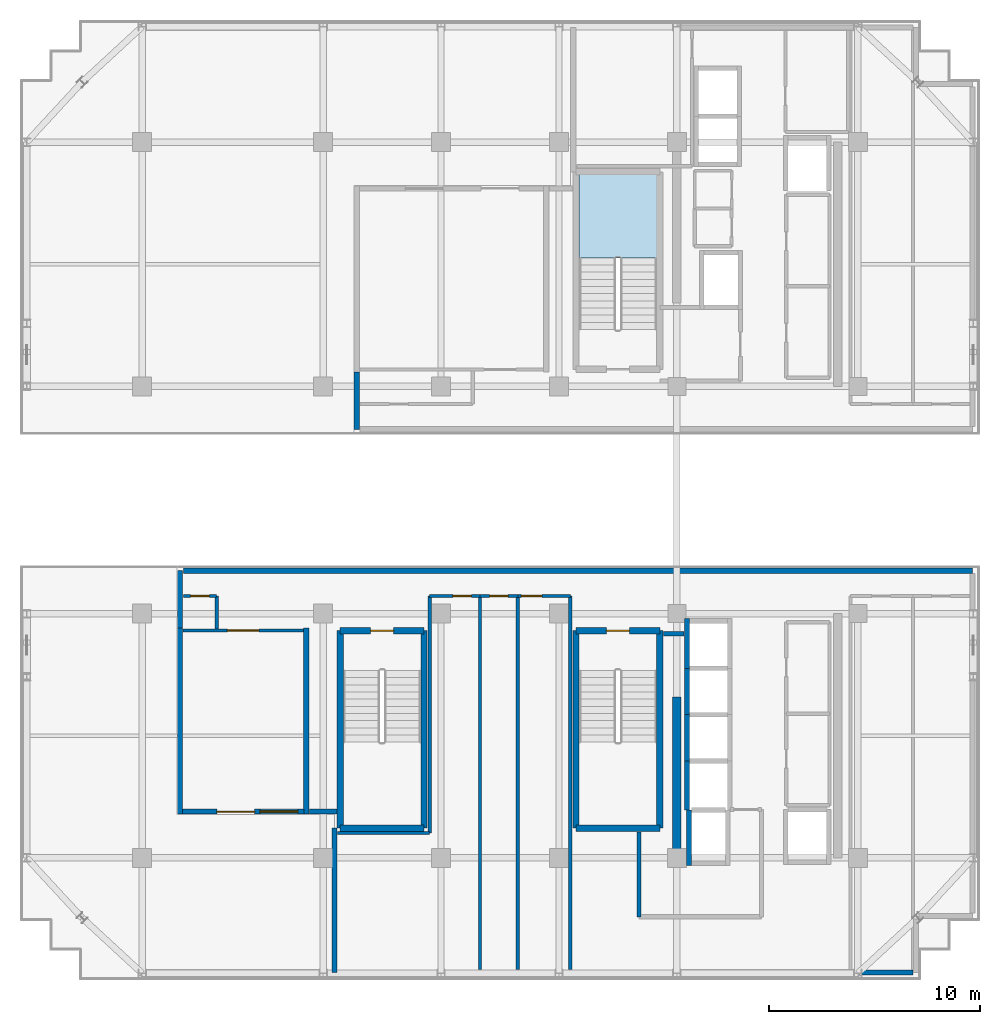
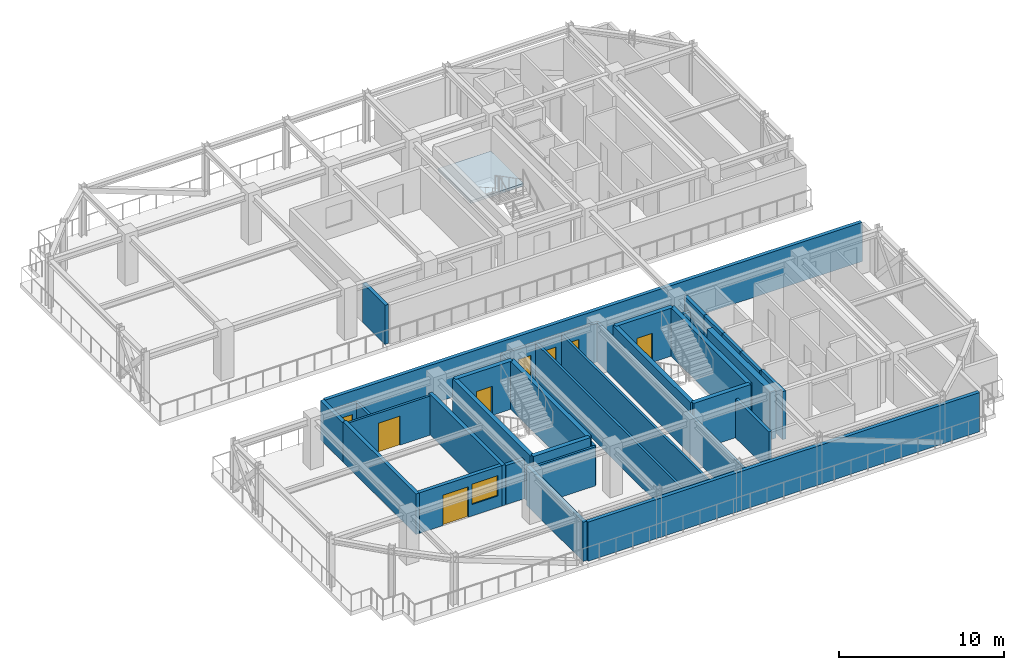
# One storey, part 5 of 14: 36 walls, 8 doors, 1 slab, 1 window, 9 openings, 1 element without a shape of its own.
"""IFC4 building model written with IfcOpenShell, lengths in metres."""

from ifc_helpers import new_model, si_unit, direction, frame, frame_2d, origin, place, context, subcontext, project, spatial, polyline, rectangle, outline, extrude, source, transform, mapped, material, layer, layer_set, type_object, element, fill, aggregate, save


model = new_model("IFC4")

# Units and contexts
model_context = context("Model", 3, precision=1e-05, world=origin(), true_north=direction((0.0, 1.0)))
body_context = subcontext(model_context, "Body", "Model", "MODEL_VIEW")
ifc_project = project(units=[si_unit("LENGTHUNIT", "METRE"), si_unit("AREAUNIT", "SQUARE_METRE"), si_unit("VOLUMEUNIT", "CUBIC_METRE"), si_unit("PLANEANGLEUNIT", "RADIAN"), si_unit("MASSUNIT", "GRAM", prefix="KILO")], contexts=[model_context])

# Site, building, storey
site_placement = place(None, origin())
site = spatial("IfcSite", under=ifc_project, at=site_placement, CompositionType="ELEMENT")
building_placement = place(site_placement, origin())
building = spatial("IfcBuilding", under=site, at=building_placement, Name="Nahalor Promenade Grand Hotel", CompositionType="ELEMENT")
storey_placement = place(building_placement, frame((0.0, 0.0, 300.35009765625)))
storey = spatial("IfcBuildingStorey", under=building, at=storey_placement, Name="L77", CompositionType="ELEMENT", Elevation=300.35009765625)

# Stair, slab
ifc_material_1 = material(Name="Concrete B-50 (C40/50)", Category="concrete")
stair_type = type_object("IfcStairType", Name="Stair-ST1", PredefinedType="HALF_TURN_STAIR", material=ifc_material_1)
stair_placement = place(storey_placement, origin())
stair = element("IfcStair", 1, at=stair_placement, inside=storey, type_object=stair_type, Name="L77 ST1", PredefinedType="HALF_TURN_STAIR")
ifc_layer_1 = layer(ifc_material_1, 0.199951171875)
ifc_layer_set_1 = layer_set([ifc_layer_1], Name="Concrete B-50 (C40/50)")
slab_type = type_object("IfcSlabType", Name="Landing-ST1", PredefinedType="LANDING", material=ifc_layer_set_1)
slab_placement = place(storey_placement, frame((0.0, 0.0, 1.724853515625)))
slab = element("IfcSlab", 2, at=slab_placement, type_object=slab_type, Name="ST1 landing 1", PredefinedType="LANDING", context=body_context, shape_type="SweptSolid", body=[
    extrude(outline(polyline([(7.449951171875, 11.5), (7.449951171875, 15.449951171875), (3.75, 15.449951171875), (3.75, 11.5), (7.449951171875, 11.5)])), origin(), (0.0, 0.0, 1.0), 0.199951171875),
])
aggregate(stair, [slab])

# Walls
ifc_layer_2 = layer(ifc_material_1, 0.39990234375)
ifc_layer_set_2 = layer_set([ifc_layer_2], Name="Concrete B-50 (C40/50)")
wall_type_1 = type_object("IfcWallType", Name="Wall-CoreShear-400", PredefinedType="SHEAR", material=ifc_layer_set_2)
shared_shape_1 = source(origin(), body_context, "Body", "SweptSolid", [
    extrude(rectangle(XDim=7.64990234375, YDim=0.39990234375, at=frame_2d((3.824951171875, 0.0))), origin(), (0.0, 0.0, 1.0), 3.5498046875),
])
wall_1_placement = place(storey_placement, frame((8.39990234375, -17.0, 0.0), z_axis=(0.0, 0.0, 1.0), x_axis=(0.0, 1.0, 0.0)))
element("IfcWall", 3, at=wall_1_placement, inside=storey, type_object=wall_type_1, Name="CWALL-L77-SW", PredefinedType="SHEAR", context=body_context, shape_type="MappedRepresentation", body=[
    mapped(shared_shape_1, transform((0.0, 0.0, 0.0), scale=1.0)),
])
ifc_layer_3 = layer(ifc_material_1, 0.300048828125)
ifc_layer_set_3 = layer_set([ifc_layer_3], Name="Concrete B-50 (C40/50)")
wall_type_2 = type_object("IfcWallType", Name="Wall-ShaftShear-300", PredefinedType="SHEAR", material=ifc_layer_set_3)
shared_shape_2 = source(origin(), body_context, "Body", "SweptSolid", [
    extrude(rectangle(XDim=3.97998046875, YDim=0.300048828125, at=frame_2d((1.989990234375, 0.0))), origin(), (0.0, 0.0, 1.0), 3.5498046875),
])
wall_2_placement = place(storey_placement, frame((3.610107421875, -15.590087890625, 0.0), z_axis=(0.0, 0.0, 1.0), x_axis=(1.0, 0.0, 0.0)))
element("IfcWall", 4, at=wall_2_placement, inside=storey, type_object=wall_type_2, Name="L77 Exit Stair ST2 Shaft Wall S", PredefinedType="SHEAR", context=body_context, shape_type="MappedRepresentation", body=[
    mapped(shared_shape_2, transform((0.0, 0.0, 0.0), scale=1.0)),
])

# Wall, opening, door
wall_3_placement = place(storey_placement, frame((3.610107421875, -6.2099609375, 0.0), z_axis=(0.0, 0.0, 1.0), x_axis=(1.0, 0.0, 0.0)))
wall_3 = element("IfcWall", 5, at=wall_3_placement, inside=storey, type_object=wall_type_2, Name="L77 Exit Stair ST2 Shaft Wall N", PredefinedType="SHEAR", context=body_context, shape_type="MappedRepresentation", body=[
    mapped(shared_shape_2, transform((0.0, 0.0, 0.0), scale=1.0)),
])
opening_1_placement = place(wall_3_placement, frame((1.43994140625, 0.0, 0.0)))
opening_1 = element("IfcOpeningElement", 6, at=opening_1_placement, cuts=wall_3, Name="Opening D-ST1", PredefinedType="OPENING", context=body_context, shape_type="SweptSolid", body=[
    extrude(rectangle(XDim=1.10009765625, YDim=2.14990234375, at=frame_2d((0.550048828125, 1.074951171875))), frame((0.0, 0.159912109375, 0.0), z_axis=(0.0, -1.0, 0.0), x_axis=(1.0, 0.0, 0.0)), (0.0, 0.0, 1.0), 0.320068359375),
])
ifc_material_2 = material(Name="Steel S355JR", Category="steel")
door_type_1 = type_object("IfcDoorType", Name="Door-StairFire-1100", OperationType="NOTDEFINED", PredefinedType="DOOR", material=ifc_material_2)
shared_shape_3 = source(origin(), body_context, "Body", "SweptSolid", [
    extrude(rectangle(XDim=1.10009765625, YDim=2.14990234375, at=frame_2d((0.550048828125, 1.074951171875))), frame((0.0, 0.02490234375, 0.0), z_axis=(0.0, -1.0, 0.0), x_axis=(1.0, 0.0, 0.0)), (0.0, 0.0, 1.0), 0.050048828125),
])
door_1_placement = place(opening_1_placement, frame((1.10009765625, 0.0, 0.0), z_axis=(0.0, 0.0, 1.0), x_axis=(-1.0, 0.0, 0.0)))
door_1 = element("IfcDoor", 7, at=door_1_placement, inside=storey, type_object=door_type_1, Name="DR-STAIR-ST2-L77", OperationType="SINGLE_SWING_RIGHT", OverallHeight=2.14990234375, OverallWidth=1.10009765625, PredefinedType="DOOR", context=body_context, shape_type="MappedRepresentation", body=[
    mapped(shared_shape_3, transform((0.0, 0.0, 0.0), scale=1.0)),
])
fill(opening_1, door_1)

# Wall
wall_4_placement = place(storey_placement, frame((-7.590087890625, -15.590087890625, 0.0), z_axis=(0.0, 0.0, 1.0), x_axis=(1.0, 0.0, 0.0)))
element("IfcWall", 8, at=wall_4_placement, inside=storey, type_object=wall_type_2, Name="L77 Exit Stair ST3 Shaft Wall S", PredefinedType="SHEAR", context=body_context, shape_type="MappedRepresentation", body=[
    mapped(shared_shape_2, transform((0.0, 0.0, 0.0), scale=1.0)),
])

# Wall, opening, door
wall_5_placement = place(storey_placement, frame((-7.590087890625, -6.2099609375, 0.0), z_axis=(0.0, 0.0, 1.0), x_axis=(1.0, 0.0, 0.0)))
wall_5 = element("IfcWall", 9, at=wall_5_placement, inside=storey, type_object=wall_type_2, Name="L77 Exit Stair ST3 Shaft Wall N", PredefinedType="SHEAR", context=body_context, shape_type="MappedRepresentation", body=[
    mapped(shared_shape_2, transform((0.0, 0.0, 0.0), scale=1.0)),
])
opening_2_placement = place(wall_5_placement, frame((1.43994140625, 0.0, 0.0)))
opening_2 = element("IfcOpeningElement", 10, at=opening_2_placement, cuts=wall_5, Name="Opening D-ST1", PredefinedType="OPENING", context=body_context, shape_type="SweptSolid", body=[
    extrude(rectangle(XDim=1.10009765625, YDim=2.14990234375, at=frame_2d((0.550048828125, 1.074951171875))), frame((0.0, 0.159912109375, 0.0), z_axis=(0.0, -1.0, 0.0), x_axis=(1.0, 0.0, 0.0)), (0.0, 0.0, 1.0), 0.320068359375),
])
door_2_placement = place(opening_2_placement, frame((1.10009765625, 0.0, 0.0), z_axis=(0.0, 0.0, 1.0), x_axis=(-1.0, 0.0, 0.0)))
door_2 = element("IfcDoor", 11, at=door_2_placement, inside=storey, type_object=door_type_1, Name="DR-STAIR-ST3-L77", OperationType="SINGLE_SWING_RIGHT", OverallHeight=2.14990234375, OverallWidth=1.10009765625, PredefinedType="DOOR", context=body_context, shape_type="MappedRepresentation", body=[
    mapped(shared_shape_3, transform((0.0, 0.0, 0.0), scale=1.0)),
])
fill(opening_2, door_2)

# Walls
shared_shape_4 = source(origin(), body_context, "Body", "SweptSolid", [
    extrude(rectangle(XDim=9.380126953125, YDim=0.300048828125, at=frame_2d((4.68994140625, 0.0))), origin(), (0.0, 0.0, 1.0), 3.5498046875),
])
for number, where, z_axis, x_axis, name in (
    (12, (3.610107421875, -15.590087890625, 0.0), (0.0, 0.0, 1.0), (0.0, 1.0, 0.0), "L77 Exit Stair ST2 Shaft Wall W"),
    (13, (7.590087890625, -15.590087890625, 0.0), (0.0, 0.0, 1.0), (0.0, 1.0, 0.0), "L77 Exit Stair ST2 Shaft Wall E"),
    (14, (-7.590087890625, -15.590087890625, 0.0), (0.0, 0.0, 1.0), (0.0, 1.0, 0.0), "L77 Exit Stair ST3 Shaft Wall W"),
    (15, (-3.610107421875, -15.590087890625, 0.0), (0.0, 0.0, 1.0), (0.0, 1.0, 0.0), "L77 Exit Stair ST3 Shaft Wall E"),
):
    element("IfcWall", number, at=place(storey_placement, frame(where, z_axis=z_axis, x_axis=x_axis)), inside=storey, type_object=wall_type_2, Name=name, PredefinedType="SHEAR", context=body_context, shape_type="MappedRepresentation", body=[
        mapped(shared_shape_4, transform((0.0, 0.0, 0.0), scale=1.0)),
    ])
ifc_layer_4 = layer(ifc_material_1, 0.219970703125)
ifc_layer_set_4 = layer_set([ifc_layer_4], Name="Concrete B-50 (C40/50)")
wall_type_3 = type_object("IfcWallType", Name="Wall-LiftShaft-220", PredefinedType="SHEAR", material=ifc_layer_set_4)
shared_shape_5 = source(origin(), body_context, "Body", "SweptSolid", [
    extrude(rectangle(XDim=2.360107421875, YDim=0.219970703125, at=frame_2d((1.18017578125, 0.0))), origin(), (0.0, 0.0, 1.0), 3.5498046875),
])
wall_6_placement = place(storey_placement, frame((8.8798828125, -8.0, 0.0), z_axis=(0.0, 0.0, 1.0), x_axis=(0.0, 1.0, 0.0)))
element("IfcWall", 16, at=wall_6_placement, inside=storey, type_object=wall_type_3, Name="L77 Lift PL9 Hoistway Wall W", PredefinedType="SHEAR", context=body_context, shape_type="MappedRepresentation", body=[
    mapped(shared_shape_5, transform((0.0, 0.0, 0.0), scale=1.0)),
])
shared_shape_6 = source(origin(), body_context, "Body", "SweptSolid", [
    extrude(rectangle(XDim=2.199951171875, YDim=0.219970703125, at=frame_2d((1.10009765625, 0.0))), origin(), (0.0, 0.0, 1.0), 3.5498046875),
])
for number, where, z_axis, x_axis, name in (
    (17, (8.8798828125, -10.199951171875, 0.0), (0.0, 0.0, 1.0), (0.0, 1.0, 0.0), "L77 Lift PL10 Hoistway Wall W"),
    (18, (8.8798828125, -12.39990234375, 0.0), (0.0, 0.0, 1.0), (0.0, 1.0, 0.0), "L77 Lift PL11 Hoistway Wall W"),
):
    element("IfcWall", number, at=place(storey_placement, frame(where, z_axis=z_axis, x_axis=x_axis)), inside=storey, type_object=wall_type_3, Name=name, PredefinedType="SHEAR", context=body_context, shape_type="MappedRepresentation", body=[
        mapped(shared_shape_6, transform((0.0, 0.0, 0.0), scale=1.0)),
    ])
shared_shape_7 = source(origin(), body_context, "Body", "SweptSolid", [
    extrude(rectangle(XDim=2.3251953125, YDim=0.219970703125, at=frame_2d((1.16259765625, 0.0))), origin(), (0.0, 0.0, 1.0), 3.5498046875),
])
wall_7_placement = place(storey_placement, frame((8.8798828125, -14.72509765625, 0.0), z_axis=(0.0, 0.0, 1.0), x_axis=(0.0, 1.0, 0.0)))
element("IfcWall", 19, at=wall_7_placement, inside=storey, type_object=wall_type_3, Name="L77 Lift PL12 Hoistway Wall W", PredefinedType="SHEAR", context=body_context, shape_type="MappedRepresentation", body=[
    mapped(shared_shape_7, transform((0.0, 0.0, 0.0), scale=1.0)),
])
shared_shape_8 = source(origin(), body_context, "Body", "SweptSolid", [
    extrude(rectangle(XDim=2.635009765625, YDim=0.219970703125, at=frame_2d((1.3173828125, 0.0))), origin(), (0.0, 0.0, 1.0), 3.5498046875),
])
wall_8_placement = place(storey_placement, frame((8.97998046875, -17.360107421875, 0.0), z_axis=(0.0, 0.0, 1.0), x_axis=(0.0, 1.0, 0.0)))
element("IfcWall", 20, at=wall_8_placement, inside=storey, type_object=wall_type_3, Name="L77 Lift FL2 Hoistway Wall W", PredefinedType="SHEAR", context=body_context, shape_type="MappedRepresentation", body=[
    mapped(shared_shape_8, transform((0.0, 0.0, 0.0), scale=1.0)),
])
ifc_material_3 = material(Name="Concrete B-40 (C32/40)", Category="concrete")
ifc_layer_5 = layer(ifc_material_3, 0.25)
ifc_layer_set_5 = layer_set([ifc_layer_5], Name="Concrete B-40 (C32/40)")
wall_type_4 = type_object("IfcWallType", Name="Wall-BronzePier-250", PredefinedType="STANDARD", material=ifc_layer_set_5)
shared_shape_9 = source(origin(), body_context, "Body", "SweptSolid", [
    extrude(rectangle(XDim=8.83984375, YDim=0.25, at=frame_2d((4.419921875, 0.0))), origin(), (0.0, 0.0, 1.0), 2.989990234375),
])
for number, where, z_axis, x_axis, name in (
    (21, (-15.199951171875, -14.919921875, 0.0), (0.0, 0.0, 1.0), (0.0, 1.0, 0.0), "W-L77-WPGAL-S-W"),
    (22, (-9.199951171875, -14.919921875, 0.0), (0.0, 0.0, 1.0), (0.0, 1.0, 0.0), "W-L77-WPGAL-S-E"),
):
    element("IfcWall", number, at=place(storey_placement, frame(where, z_axis=z_axis, x_axis=x_axis)), inside=storey, type_object=wall_type_4, Name=name, PredefinedType="STANDARD", context=body_context, shape_type="MappedRepresentation", body=[
        mapped(shared_shape_9, transform((0.0, 0.0, 0.0), scale=1.0)),
    ])

# Wall, openings, door, window
shared_shape_10 = source(origin(), body_context, "Body", "SweptSolid", [
    extrude(rectangle(XDim=5.760009765625, YDim=0.25, at=frame_2d((2.8798828125, 0.0))), origin(), (0.0, 0.0, 1.0), 2.989990234375),
])
wall_9_placement = place(storey_placement, frame((-15.080078125, -14.800048828125, 0.0), z_axis=(0.0, 0.0, 1.0), x_axis=(1.0, 0.0, 0.0)))
wall_9 = element("IfcWall", 23, at=wall_9_placement, inside=storey, type_object=wall_type_4, Name="W-L77-WPGAL-S-S", PredefinedType="STANDARD", context=body_context, shape_type="MappedRepresentation", body=[
    mapped(shared_shape_10, transform((0.0, 0.0, 0.0), scale=1.0)),
])
opening_3_placement = place(wall_9_placement, frame((1.6298828125, 0.0, 0.0)))
opening_3 = element("IfcOpeningElement", 24, at=opening_3_placement, cuts=wall_9, Name="Opening D-BC1", PredefinedType="OPENING", context=body_context, shape_type="SweptSolid", body=[
    extrude(rectangle(XDim=1.800048828125, YDim=2.25, at=frame_2d((0.89990234375, 1.125))), frame((0.0, 0.135009765625, 0.0), z_axis=(0.0, -1.0, 0.0), x_axis=(1.0, 0.0, 0.0)), (0.0, 0.0, 1.0), 0.27001953125),
])
opening_4_placement = place(wall_9_placement, frame((3.679931640625, 0.0, 0.85009765625)))
opening_4 = element("IfcOpeningElement", 25, at=opening_4_placement, cuts=wall_9, Name="Opening WN-01", PredefinedType="OPENING", context=body_context, shape_type="SweptSolid", body=[
    extrude(rectangle(XDim=1.800048828125, YDim=1.5, at=frame_2d((0.89990234375, 0.75))), frame((0.0, 0.135009765625, 0.0), z_axis=(0.0, -1.0, 0.0), x_axis=(1.0, 0.0, 0.0)), (0.0, 0.0, 1.0), 0.27001953125),
])
ifc_material_4 = material(Name="Anodised Bronze Aluminium EN AW-6063 T6", Category="aluminium")
door_type_2 = type_object("IfcDoorType", Name="Door-BalconySlide-1800", OperationType="DOUBLE_DOOR_SLIDING", PredefinedType="DOOR", material=ifc_material_4)
shared_shape_11 = source(origin(), body_context, "Body", "SweptSolid", [
    extrude(rectangle(XDim=1.800048828125, YDim=2.25, at=frame_2d((0.89990234375, 1.125))), frame((0.0, 0.02490234375, 0.0), z_axis=(0.0, -1.0, 0.0), x_axis=(1.0, 0.0, 0.0)), (0.0, 0.0, 1.0), 0.050048828125),
])
door_3_placement = place(opening_3_placement, frame((1.800048828125, 0.0, 0.0), z_axis=(0.0, 0.0, 1.0), x_axis=(-1.0, 0.0, 0.0)))
door_3 = element("IfcDoor", 26, at=door_3_placement, inside=storey, type_object=door_type_2, Name="DR-L77-WP-S", OperationType="DOUBLE_DOOR_SLIDING", OverallHeight=2.25, OverallWidth=1.800048828125, PredefinedType="DOOR", context=body_context, shape_type="MappedRepresentation", body=[
    mapped(shared_shape_11, transform((0.0, 0.0, 0.0), scale=1.0)),
])
fill(opening_3, door_3)
ifc_material_5 = material(Name="Low-E Laminated Solar Glass", Category="glass")
window_type = type_object("IfcWindowType", Name="Win-ChicagoBay-1800x1500", PartitioningType="SINGLE_PANEL", PredefinedType="WINDOW", material=ifc_material_5)
shared_shape_12 = source(origin(), body_context, "Body", "SweptSolid", [
    extrude(rectangle(XDim=1.800048828125, YDim=1.5, at=frame_2d((0.89990234375, 0.75))), frame((0.0, 0.030029296875, 0.0), z_axis=(0.0, -1.0, 0.0), x_axis=(1.0, 0.0, 0.0)), (0.0, 0.0, 1.0), 0.06005859375),
])
window_placement = place(opening_4_placement, origin())
window = element("IfcWindow", 27, at=window_placement, inside=storey, type_object=window_type, Name="WN-L77-WP-S", OverallHeight=1.5, OverallWidth=1.800048828125, PartitioningType="SINGLE_PANEL", PredefinedType="WINDOW", context=body_context, shape_type="MappedRepresentation", body=[
    mapped(shared_shape_12, transform((0.0, 0.0, 0.0), scale=1.0)),
])
fill(opening_4, window)

# Walls
ifc_layer_6 = layer(ifc_material_3, 0.199951171875)
ifc_layer_set_6 = layer_set([ifc_layer_6], Name="Concrete B-40 (C32/40)")
wall_type_5 = type_object("IfcWallType", Name="Wall-PartFire-200", PredefinedType="PARTITIONING", material=ifc_layer_set_6)
shared_shape_13 = source(origin(), body_context, "Body", "SweptSolid", [
    extrude(rectangle(XDim=4.030029296875, YDim=0.199951171875, at=frame_2d((2.01513671875, 0.0))), origin(), (0.0, 0.0, 1.0), 2.889892578125),
])
wall_10_placement = place(storey_placement, frame((6.60009765625, -19.800048828125, 0.0), z_axis=(0.0, 0.0, 1.0), x_axis=(0.0, 1.0, 0.0)))
element("IfcWall", 28, at=wall_10_placement, inside=storey, type_object=wall_type_5, Name="W-L77-FF2-W1", PredefinedType="PARTITIONING", context=body_context, shape_type="MappedRepresentation", body=[
    mapped(shared_shape_13, transform((0.0, 0.0, 0.0), scale=1.0)),
])
shared_shape_14 = source(origin(), body_context, "Body", "SweptSolid", [
    extrude(rectangle(XDim=0.969970703125, YDim=0.199951171875, at=frame_2d((0.48486328125, 0.0))), origin(), (0.0, 0.0, 1.0), 2.889892578125),
])
wall_11_placement = place(storey_placement, frame((7.77001953125, -6.35009765625, 0.0), z_axis=(0.0, 0.0, 1.0), x_axis=(1.0, 0.0, 0.0)))
element("IfcWall", 29, at=wall_11_placement, inside=storey, type_object=wall_type_5, Name="W-L77-FF2-N2", PredefinedType="PARTITIONING", context=body_context, shape_type="MappedRepresentation", body=[
    mapped(shared_shape_14, transform((0.0, 0.0, 0.0), scale=1.0)),
])
shared_shape_15 = source(origin(), body_context, "Body", "SweptSolid", [
    extrude(rectangle(XDim=2.719970703125, YDim=0.25, at=frame_2d((1.35986328125, 0.0))), origin(), (0.0, 0.0, 1.0), 2.889892578125),
])
for number, where, z_axis, x_axis, name in (
    (30, (-6.800048828125, 3.360107421875, 0.0), (0.0, 0.0, 1.0), (0.0, 1.0, 0.0), "W-L77-WPENV-NW"),
    (31, (-15.199951171875, -6.080078125, 0.0), (0.0, 0.0, 1.0), (0.0, 1.0, 0.0), "W-L77-WPENV-SW"),
):
    element("IfcWall", number, at=place(storey_placement, frame(where, z_axis=z_axis, x_axis=x_axis)), inside=storey, type_object=wall_type_4, Name=name, PredefinedType="STANDARD", context=body_context, shape_type="MappedRepresentation", body=[
        mapped(shared_shape_15, transform((0.0, 0.0, 0.0), scale=1.0)),
    ])
shared_shape_16 = source(origin(), body_context, "Body", "SweptSolid", [
    extrude(rectangle(XDim=6.85986328125, YDim=0.25, at=frame_2d((3.429931640625, 0.0))), origin(), (0.0, 0.0, 1.0), 2.889892578125),
])
wall_12_placement = place(storey_placement, frame((-7.860107421875, -22.43994140625, 0.0), z_axis=(0.0, 0.0, 1.0), x_axis=(0.0, 1.0, 0.0)))
element("IfcWall", 32, at=wall_12_placement, inside=storey, type_object=wall_type_4, Name="W-L77-WPENV-SM2", PredefinedType="STANDARD", context=body_context, shape_type="MappedRepresentation", body=[
    mapped(shared_shape_16, transform((0.0, 0.0, 0.0), scale=1.0)),
])
shared_shape_17 = source(origin(), body_context, "Body", "SweptSolid", [
    extrude(rectangle(XDim=1.2900390625, YDim=0.25, at=frame_2d((0.64501953125, 0.0))), origin(), (0.0, 0.0, 1.0), 2.889892578125),
])
wall_13_placement = place(storey_placement, frame((-9.0400390625, -14.800048828125, 0.0), z_axis=(0.0, 0.0, 1.0), x_axis=(1.0, 0.0, 0.0)))
element("IfcWall", 33, at=wall_13_placement, inside=storey, type_object=wall_type_4, Name="W-L77-WPENV-SM1", PredefinedType="STANDARD", context=body_context, shape_type="MappedRepresentation", body=[
    mapped(shared_shape_17, transform((0.0, 0.0, 0.0), scale=1.0)),
])
shared_shape_18 = source(origin(), body_context, "Body", "SweptSolid", [
    extrude(rectangle(XDim=27.340087890625, YDim=0.25, at=frame_2d((13.669921875, 0.0))), origin(), (0.0, 0.0, 1.0), 2.889892578125),
])
wall_14_placement = place(storey_placement, frame((-7.719970703125, -22.43994140625, 0.0), z_axis=(0.0, 0.0, 1.0), x_axis=(1.0, 0.0, 0.0)))
element("IfcWall", 34, at=wall_14_placement, inside=storey, type_object=wall_type_4, Name="W-L77-WPENV-SS", PredefinedType="STANDARD", context=body_context, shape_type="MappedRepresentation", body=[
    mapped(shared_shape_18, transform((0.0, 0.0, 0.0), scale=1.0)),
])
ifc_material_6 = material(Name="Acoustic Mineral Gypsum", Category="gypsum")
ifc_layer_7 = layer(ifc_material_6, 0.159912109375)
ifc_layer_set_7 = layer_set([ifc_layer_7], Name="Acoustic Mineral Gypsum")
wall_type_6 = type_object("IfcWallType", Name="Wall-PartCorridor-160", PredefinedType="PARTITIONING", material=ifc_layer_set_7)
shared_shape_19 = source(origin(), body_context, "Body", "SweptSolid", [
    extrude(rectangle(XDim=1.56005859375, YDim=0.159912109375, at=frame_2d((0.780029296875, 0.0))), origin(), (0.0, 0.0, 1.0), 2.889892578125),
])
wall_15_placement = place(storey_placement, frame((-13.4599609375, -6.1201171875, 0.0), z_axis=(0.0, 0.0, 1.0), x_axis=(0.0, 1.0, 0.0)))
element("IfcWall", 35, at=wall_15_placement, inside=storey, type_object=wall_type_6, Name="W-L77-WPSW1-E", PredefinedType="PARTITIONING", context=body_context, shape_type="MappedRepresentation", body=[
    mapped(shared_shape_19, transform((0.0, 0.0, 0.0), scale=1.0)),
])
shared_shape_20 = source(origin(), body_context, "Body", "SweptSolid", [
    extrude(rectangle(XDim=17.739990234375, YDim=0.159912109375, at=frame_2d((8.8701171875, 0.0))), origin(), (0.0, 0.0, 1.0), 2.889892578125),
])
for number, where, z_axis, x_axis, name in (
    (36, (-0.949951171875, -22.300048828125, 0.0), (0.0, 0.0, 1.0), (0.0, 1.0, 0.0), "W-L77-WPSC1-E"),
    (37, (0.85009765625, -22.300048828125, 0.0), (0.0, 0.0, 1.0), (0.0, 1.0, 0.0), "W-L77-WPSC2-E"),
    (38, (3.340087890625, -22.300048828125, 0.0), (0.0, 0.0, 1.0), (0.0, 1.0, 0.0), "W-L77-WPSC3-E"),
):
    element("IfcWall", number, at=place(storey_placement, frame(where, z_axis=z_axis, x_axis=x_axis)), inside=storey, type_object=wall_type_6, Name=name, PredefinedType="PARTITIONING", context=body_context, shape_type="MappedRepresentation", body=[
        mapped(shared_shape_20, transform((0.0, 0.0, 0.0), scale=1.0)),
    ])
shared_shape_21 = source(origin(), body_context, "Body", "SweptSolid", [
    extrude(rectangle(XDim=11.260009765625, YDim=0.159912109375, at=frame_2d((5.6298828125, 0.0))), origin(), (0.0, 0.0, 1.0), 2.889892578125),
])
wall_16_placement = place(storey_placement, frame((-3.340087890625, -15.820068359375, 0.0), z_axis=(0.0, 0.0, 1.0), x_axis=(0.0, 1.0, 0.0)))
element("IfcWall", 39, at=wall_16_placement, inside=storey, type_object=wall_type_6, Name="W-L77-WPSC1-W1", PredefinedType="PARTITIONING", context=body_context, shape_type="MappedRepresentation", body=[
    mapped(shared_shape_21, transform((0.0, 0.0, 0.0), scale=1.0)),
])
shared_shape_22 = source(origin(), body_context, "Body", "SweptSolid", [
    extrude(rectangle(XDim=4.3798828125, YDim=0.159912109375, at=frame_2d((2.18994140625, 0.0))), origin(), (0.0, 0.0, 1.0), 2.889892578125),
])
wall_17_placement = place(storey_placement, frame((-7.719970703125, -15.820068359375, 0.0), z_axis=(0.0, 0.0, 1.0), x_axis=(1.0, 0.0, 0.0)))
element("IfcWall", 40, at=wall_17_placement, inside=storey, type_object=wall_type_6, Name="W-L77-WPSC1-NW", PredefinedType="PARTITIONING", context=body_context, shape_type="MappedRepresentation", body=[
    mapped(shared_shape_22, transform((0.0, 0.0, 0.0), scale=1.0)),
])

# Wall, opening, door
shared_shape_23 = source(origin(), body_context, "Body", "SweptSolid", [
    extrude(rectangle(XDim=2.489990234375, YDim=0.159912109375, at=frame_2d((1.2451171875, 0.0))), origin(), (0.0, 0.0, 1.0), 2.889892578125),
])
wall_18_placement = place(storey_placement, frame((0.85009765625, -4.56005859375, 0.0), z_axis=(0.0, 0.0, 1.0), x_axis=(1.0, 0.0, 0.0)))
wall_18 = element("IfcWall", 41, at=wall_18_placement, inside=storey, type_object=wall_type_6, Name="W-L77-WPSC3-N", PredefinedType="PARTITIONING", context=body_context, shape_type="MappedRepresentation", body=[
    mapped(shared_shape_23, transform((0.0, 0.0, 0.0), scale=1.0)),
])
opening_5_placement = place(wall_18_placement, frame((0.159912109375, 0.0, 0.0)))
opening_5 = element("IfcOpeningElement", 42, at=opening_5_placement, cuts=wall_18, Name="Opening D-05", PredefinedType="OPENING", context=body_context, shape_type="SweptSolid", body=[
    extrude(rectangle(XDim=0.97998046875, YDim=2.10009765625, at=frame_2d((0.489990234375, 1.050048828125))), frame((0.0, 0.08984375, 0.0), z_axis=(0.0, -1.0, 0.0), x_axis=(1.0, 0.0, 0.0)), (0.0, 0.0, 1.0), 0.179931640625),
])
ifc_material_7 = material(Name="Fire-Rated Timber Composite", Category="wood")
door_type_3 = type_object("IfcDoorType", Name="Door-AccessibleWC-980", OperationType="NOTDEFINED", PredefinedType="DOOR", material=ifc_material_7)
shared_shape_24 = source(origin(), body_context, "Body", "SweptSolid", [
    extrude(rectangle(XDim=0.97998046875, YDim=2.10009765625, at=frame_2d((0.489990234375, 1.050048828125))), frame((0.0, 0.02490234375, 0.0), z_axis=(0.0, -1.0, 0.0), x_axis=(1.0, 0.0, 0.0)), (0.0, 0.0, 1.0), 0.050048828125),
])
door_4_placement = place(opening_5_placement, frame((0.97998046875, 0.0, 0.0), z_axis=(0.0, 0.0, 1.0), x_axis=(-1.0, 0.0, 0.0)))
door_4 = element("IfcDoor", 43, at=door_4_placement, inside=storey, type_object=door_type_3, Name="DR-L77-WPSC3", OperationType="SINGLE_SWING_RIGHT", OverallHeight=2.10009765625, OverallWidth=0.97998046875, PredefinedType="DOOR", context=body_context, shape_type="MappedRepresentation", body=[
    mapped(shared_shape_24, transform((0.0, 0.0, 0.0), scale=1.0)),
])
fill(opening_5, door_4)

# Wall
shared_shape_25 = source(origin(), body_context, "Body", "SweptSolid", [
    extrude(rectangle(XDim=37.47998046875, YDim=0.25, at=frame_2d((18.739990234375, 0.0))), origin(), (0.0, 0.0, 1.0), 2.889892578125),
])
wall_19_placement = place(storey_placement, frame((-15.0400390625, -3.360107421875, 0.0), z_axis=(0.0, 0.0, 1.0), x_axis=(1.0, 0.0, 0.0)))
element("IfcWall", 44, at=wall_19_placement, inside=storey, type_object=wall_type_4, Name="W-L77-WPENV-SN", PredefinedType="STANDARD", context=body_context, shape_type="MappedRepresentation", body=[
    mapped(shared_shape_25, transform((0.0, 0.0, 0.0), scale=1.0)),
])

# Wall, opening, door
shared_shape_26 = source(origin(), body_context, "Body", "SweptSolid", [
    extrude(rectangle(XDim=5.719970703125, YDim=0.159912109375, at=frame_2d((2.85986328125, 0.0))), origin(), (0.0, 0.0, 1.0), 2.889892578125),
])
wall_20_placement = place(storey_placement, frame((-15.06005859375, -6.199951171875, 0.0), z_axis=(0.0, 0.0, 1.0), x_axis=(1.0, 0.0, 0.0)))
wall_20 = element("IfcWall", 45, at=wall_20_placement, inside=storey, type_object=wall_type_6, Name="W-L77-WPGAL-S-N", PredefinedType="PARTITIONING", context=body_context, shape_type="MappedRepresentation", body=[
    mapped(shared_shape_26, transform((0.0, 0.0, 0.0), scale=1.0)),
])
opening_6_placement = place(wall_20_placement, frame((2.110107421875, 0.0, 0.0)))
opening_6 = element("IfcOpeningElement", 46, at=opening_6_placement, cuts=wall_20, Name="Opening D-02", PredefinedType="OPENING", context=body_context, shape_type="SweptSolid", body=[
    extrude(rectangle(XDim=1.5, YDim=2.14990234375, at=frame_2d((0.75, 1.074951171875))), frame((0.0, 0.08984375, 0.0), z_axis=(0.0, -1.0, 0.0), x_axis=(1.0, 0.0, 0.0)), (0.0, 0.0, 1.0), 0.179931640625),
])
door_type_4 = type_object("IfcDoorType", Name="Door-SuiteDouble-1500", OperationType="DOUBLE_DOOR_SINGLE_SWING", PredefinedType="DOOR", material=ifc_material_7)
shared_shape_27 = source(origin(), body_context, "Body", "SweptSolid", [
    extrude(rectangle(XDim=1.5, YDim=2.14990234375, at=frame_2d((0.75, 1.074951171875))), frame((0.0, 0.02490234375, 0.0), z_axis=(0.0, -1.0, 0.0), x_axis=(1.0, 0.0, 0.0)), (0.0, 0.0, 1.0), 0.050048828125),
])
door_5_placement = place(opening_6_placement, frame((1.5, 0.0, 0.0), z_axis=(0.0, 0.0, 1.0), x_axis=(-1.0, 0.0, 0.0)))
door_5 = element("IfcDoor", 47, at=door_5_placement, inside=storey, type_object=door_type_4, Name="DR-L77-WPGAL-S-IN", OperationType="DOUBLE_DOOR_SINGLE_SWING", OverallHeight=2.14990234375, OverallWidth=1.5, PredefinedType="DOOR", context=body_context, shape_type="MappedRepresentation", body=[
    mapped(shared_shape_27, transform((0.0, 0.0, 0.0), scale=1.0)),
])
fill(opening_6, door_5)

shared_shape_28 = source(origin(), body_context, "Body", "SweptSolid", [
    extrude(rectangle(XDim=1.580078125, YDim=0.159912109375, at=frame_2d((0.7900390625, 0.0))), origin(), (0.0, 0.0, 1.0), 2.889892578125),
])
wall_21_placement = place(storey_placement, frame((-15.0400390625, -4.56005859375, 0.0), z_axis=(0.0, 0.0, 1.0), x_axis=(1.0, 0.0, 0.0)))
wall_21 = element("IfcWall", 48, at=wall_21_placement, inside=storey, type_object=wall_type_6, Name="W-L77-WPSW1-N", PredefinedType="PARTITIONING", context=body_context, shape_type="MappedRepresentation", body=[
    mapped(shared_shape_28, transform((0.0, 0.0, 0.0), scale=1.0)),
])
opening_7_placement = place(wall_21_placement, frame((0.35009765625, 0.0, 0.0)))
opening_7 = element("IfcOpeningElement", 49, at=opening_7_placement, cuts=wall_21, Name="Opening D-03", PredefinedType="OPENING", context=body_context, shape_type="SweptSolid", body=[
    extrude(rectangle(XDim=0.8798828125, YDim=2.10009765625, at=frame_2d((0.43994140625, 1.050048828125))), frame((0.0, 0.08984375, 0.0), z_axis=(0.0, -1.0, 0.0), x_axis=(1.0, 0.0, 0.0)), (0.0, 0.0, 1.0), 0.179931640625),
])
door_type_5 = type_object("IfcDoorType", Name="Door-BathSwing-880", OperationType="NOTDEFINED", PredefinedType="DOOR", material=ifc_material_7)
shared_shape_29 = source(origin(), body_context, "Body", "SweptSolid", [
    extrude(rectangle(XDim=0.8798828125, YDim=2.10009765625, at=frame_2d((0.43994140625, 1.050048828125))), frame((0.0, 0.02490234375, 0.0), z_axis=(0.0, -1.0, 0.0), x_axis=(1.0, 0.0, 0.0)), (0.0, 0.0, 1.0), 0.050048828125),
])
door_6_placement = place(opening_7_placement, frame((0.8798828125, 0.0, 0.0), z_axis=(0.0, 0.0, 1.0), x_axis=(-1.0, 0.0, 0.0)))
door_6 = element("IfcDoor", 50, at=door_6_placement, inside=storey, type_object=door_type_5, Name="DR-L77-WPSW1", OperationType="SINGLE_SWING_LEFT", OverallHeight=2.10009765625, OverallWidth=0.8798828125, PredefinedType="DOOR", context=body_context, shape_type="MappedRepresentation", body=[
    mapped(shared_shape_29, transform((0.0, 0.0, 0.0), scale=1.0)),
])
fill(opening_7, door_6)

shared_shape_30 = source(origin(), body_context, "Body", "SweptSolid", [
    extrude(rectangle(XDim=2.39013671875, YDim=0.159912109375, at=frame_2d((1.195068359375, 0.0))), origin(), (0.0, 0.0, 1.0), 2.889892578125),
])
wall_22_placement = place(storey_placement, frame((-3.340087890625, -4.56005859375, 0.0), z_axis=(0.0, 0.0, 1.0), x_axis=(1.0, 0.0, 0.0)))
wall_22 = element("IfcWall", 51, at=wall_22_placement, inside=storey, type_object=wall_type_6, Name="W-L77-WPSC1-N", PredefinedType="PARTITIONING", context=body_context, shape_type="MappedRepresentation", body=[
    mapped(shared_shape_30, transform((0.0, 0.0, 0.0), scale=1.0)),
])
opening_8_placement = place(wall_22_placement, frame((1.10009765625, 0.0, 0.0)))
opening_8 = element("IfcOpeningElement", 52, at=opening_8_placement, cuts=wall_22, Name="Opening D-03", PredefinedType="OPENING", context=body_context, shape_type="SweptSolid", body=[
    extrude(rectangle(XDim=0.8798828125, YDim=2.10009765625, at=frame_2d((0.43994140625, 1.050048828125))), frame((0.0, 0.08984375, 0.0), z_axis=(0.0, -1.0, 0.0), x_axis=(1.0, 0.0, 0.0)), (0.0, 0.0, 1.0), 0.179931640625),
])
door_7_placement = place(opening_8_placement, frame((0.8798828125, 0.0, 0.0), z_axis=(0.0, 0.0, 1.0), x_axis=(-1.0, 0.0, 0.0)))
door_7 = element("IfcDoor", 53, at=door_7_placement, inside=storey, type_object=door_type_5, Name="DR-L77-WPSC1", OperationType="SINGLE_SWING_RIGHT", OverallHeight=2.10009765625, OverallWidth=0.8798828125, PredefinedType="DOOR", context=body_context, shape_type="MappedRepresentation", body=[
    mapped(shared_shape_29, transform((0.0, 0.0, 0.0), scale=1.0)),
])
fill(opening_8, door_7)

shared_shape_31 = source(origin(), body_context, "Body", "SweptSolid", [
    extrude(rectangle(XDim=1.800048828125, YDim=0.159912109375, at=frame_2d((0.89990234375, 0.0))), origin(), (0.0, 0.0, 1.0), 2.889892578125),
])
wall_23_placement = place(storey_placement, frame((-0.949951171875, -4.56005859375, 0.0), z_axis=(0.0, 0.0, 1.0), x_axis=(1.0, 0.0, 0.0)))
wall_23 = element("IfcWall", 54, at=wall_23_placement, inside=storey, type_object=wall_type_6, Name="W-L77-WPSC2-N", PredefinedType="PARTITIONING", context=body_context, shape_type="MappedRepresentation", body=[
    mapped(shared_shape_31, transform((0.0, 0.0, 0.0), scale=1.0)),
])
opening_9_placement = place(wall_23_placement, frame((0.4599609375, 0.0, 0.0)))
opening_9 = element("IfcOpeningElement", 55, at=opening_9_placement, cuts=wall_23, Name="Opening D-03", PredefinedType="OPENING", context=body_context, shape_type="SweptSolid", body=[
    extrude(rectangle(XDim=0.8798828125, YDim=2.10009765625, at=frame_2d((0.43994140625, 1.050048828125))), frame((0.0, 0.08984375, 0.0), z_axis=(0.0, -1.0, 0.0), x_axis=(1.0, 0.0, 0.0)), (0.0, 0.0, 1.0), 0.179931640625),
])
door_8_placement = place(opening_9_placement, frame((0.8798828125, 0.0, 0.0), z_axis=(0.0, 0.0, 1.0), x_axis=(-1.0, 0.0, 0.0)))
door_8 = element("IfcDoor", 56, at=door_8_placement, inside=storey, type_object=door_type_5, Name="DR-L77-WPSC2", OperationType="SINGLE_SWING_LEFT", OverallHeight=2.10009765625, OverallWidth=0.8798828125, PredefinedType="DOOR", context=body_context, shape_type="MappedRepresentation", body=[
    mapped(shared_shape_29, transform((0.0, 0.0, 0.0), scale=1.0)),
])
fill(opening_9, door_8)

save(model, "model.ifc")
